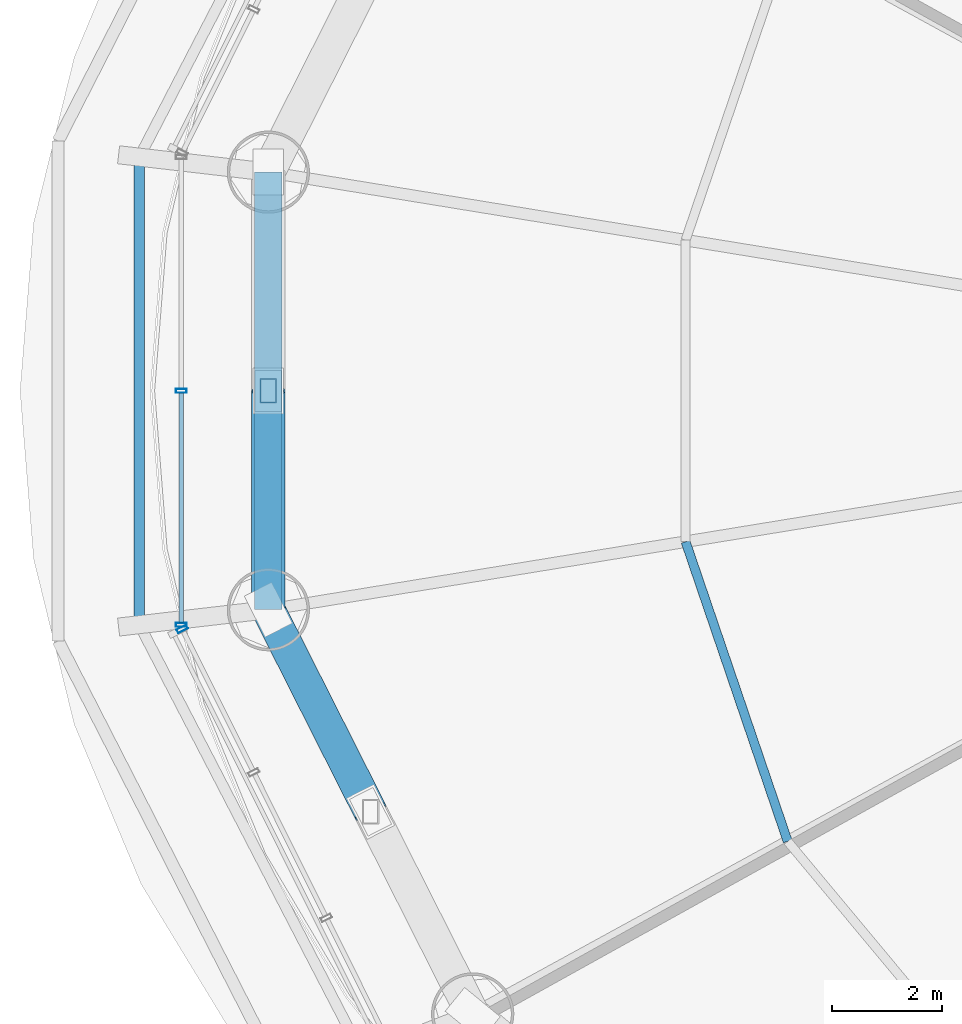
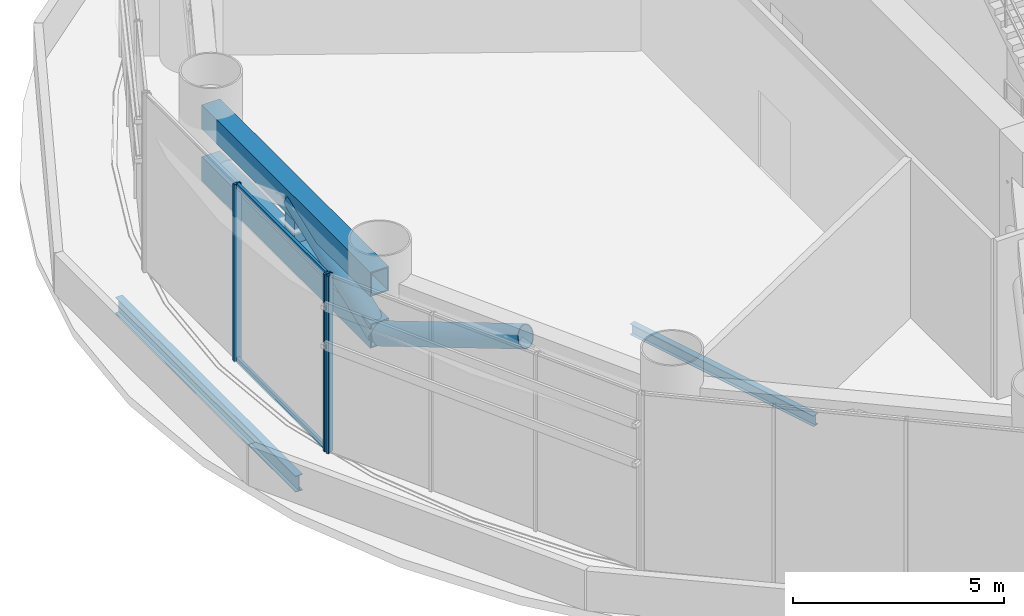
# One storey, part 8 of 33: 10 members, 2 beams, 2 elements without a shape of their own.
"""IFC4 building model written with IfcOpenShell, lengths in metres."""

from ifc_helpers import new_model, si_unit, direction, frame, origin, origin_2d, place, context, subcontext, project, spatial, hollow_rectangle, hollow_circle, i_section, extrude, source, transform, mapped, material, material_profile, profile_set, type_object, element, aggregate, save


model = new_model("IFC4")

# Units and contexts
model_context = context("Model", 3, precision=1e-05, world=origin(), true_north=direction((-0.2419218956, 0.970295726276)))
body_context = subcontext(model_context, "Body", "Model", "MODEL_VIEW")
ifc_project = project(units=[si_unit("LENGTHUNIT", "METRE"), si_unit("AREAUNIT", "SQUARE_METRE"), si_unit("VOLUMEUNIT", "CUBIC_METRE"), si_unit("PLANEANGLEUNIT", "RADIAN"), si_unit("MASSUNIT", "GRAM", prefix="KILO")], contexts=[model_context])

# Site, building, storey
site_placement = place(None, origin())
site = spatial("IfcSite", under=ifc_project, at=site_placement, CompositionType="ELEMENT")
building_placement = place(site_placement, origin())
building = spatial("IfcBuilding", under=site, at=building_placement, Name="Cobrevalo Terracotta Tower", CompositionType="ELEMENT")
storey_placement = place(building_placement, frame((0.0, 0.0, 74.39990234375)))
storey = spatial("IfcBuildingStorey", under=building, at=storey_placement, Name="L19", CompositionType="ELEMENT", Elevation=74.39990234375)

# Beams
ifc_material_1 = material(Name="Steel S355", Category="steel")
ifc_material_profile_1 = material_profile(ifc_material_1, i_section(OverallWidth=0.1650390625, OverallDepth=0.31005859375, WebThickness=0.005859375, FlangeThickness=0.009765625, at=origin_2d()), Name="W 310x38.7")
ifc_profile_set_1 = profile_set([ifc_material_profile_1], Name="Steel S355")
beam_type_1 = type_object("IfcBeamType", Name="Structural Joist W 310x38.7 (Steel S355)", PredefinedType="JOIST", material=ifc_profile_set_1)
beam_1_placement = place(storey_placement, frame((21.13720703125, 24.05078125, -0.60498046875), z_axis=(0.322587842666, -0.94653953101, 0.0), x_axis=(0.94653953101, 0.322587842666, 0.0)))
element("IfcBeam", 1, at=beam_1_placement, inside=storey, type_object=beam_type_1, Name="L19 circumferential secondary floor joist 09", PredefinedType="JOIST", context=body_context, shape_type="SweptSolid", body=[
    extrude(i_section(OverallWidth=0.1650390625, OverallDepth=0.31005859375, WebThickness=0.005859375, FlangeThickness=0.009765625, at=origin_2d()), origin(), (0.0, 0.0, 1.0), 5.7744140625),
])
ifc_material_profile_2 = material_profile(ifc_material_1, i_section(OverallWidth=0.194091796875, OverallDepth=0.468994140625, WebThickness=0.011474609375, FlangeThickness=0.0205078125, at=origin_2d()), Name="W 460x106")
ifc_profile_set_2 = profile_set([ifc_material_profile_2], Name="Steel S355")
beam_type_2 = type_object("IfcBeamType", Name="Structural Spandrel W 460x106 (Steel S355)", PredefinedType="SPANDREL", material=ifc_profile_set_2)
beam_2_placement = place(storey_placement, frame((11.175537109375, 31.062744140625, -0.684326171875), z_axis=(0.0, -1.0, 0.0), x_axis=(1.0, 0.0, 0.0)))
element("IfcBeam", 2, at=beam_2_placement, inside=storey, type_object=beam_type_2, Name="L19 perimeter ring spandrel 08", PredefinedType="SPANDREL", context=body_context, shape_type="SweptSolid", body=[
    extrude(i_section(OverallWidth=0.194091796875, OverallDepth=0.468994140625, WebThickness=0.011474609375, FlangeThickness=0.0205078125, at=origin_2d()), origin(), (0.0, 0.0, 1.0), 8.525390625),
])

# Members
ifc_material_profile_3 = material_profile(ifc_material_1, hollow_rectangle(XDim=0.300048828125, YDim=0.449951171875, WallThickness=0.02001953125, at=origin_2d()), Name="RHS 450x300x20")
ifc_profile_set_3 = profile_set([ifc_material_profile_3], Name="Steel S355")
member_type_1 = type_object("IfcMemberType", Name="Steel Post RHS 450x300x20 (Steel S355)", PredefinedType="POST", material=ifc_profile_set_3)
shared_shape_1 = source(origin(), body_context, "Body", "SweptSolid", [
    extrude(hollow_rectangle(XDim=0.300048828125, YDim=0.449951171875, WallThickness=0.02001953125, at=origin_2d()), origin(), (0.0, 0.0, 1.0), 1.494873046875),
])
member_1_placement = place(storey_placement, frame((13.529296875, 26.800048828125, 2.650146484375), z_axis=(0.0, 0.0, 1.0), x_axis=(1.0, 0.0, 0.0)))
element("IfcMember", 3, at=member_1_placement, inside=storey, type_object=member_type_1, Name="L19 belt truss post 08", PredefinedType="POST", context=body_context, shape_type="MappedRepresentation", body=[
    mapped(shared_shape_1, transform((0.0, 0.0, 0.0), scale=1.0)),
])
ifc_material_profile_4 = material_profile(ifc_material_1, hollow_circle(Radius=0.304931640625, WallThickness=0.02490234375, at=origin_2d()), Name="CHS 610x25")
ifc_profile_set_4 = profile_set([ifc_material_profile_4], Name="Steel S355")
member_type_2 = type_object("IfcMemberType", Name="Steel Brace CHS 610x25 (Steel S355)", PredefinedType="BRACE", material=ifc_profile_set_4)
shared_shape_2 = source(origin(), body_context, "Body", "SweptSolid", [
    extrude(hollow_circle(Radius=0.304931640625, WallThickness=0.02490234375, at=origin_2d()), origin(), (0.0, 0.0, 1.0), 4.39208984375),
])
member_2_placement = place(storey_placement, frame((13.529296875, 22.810302734375, 2.650146484375), z_axis=(0.424132810523, -0.839204854584, 0.340362411381), x_axis=(0.892491666612, 0.451063881317, 0.0)))
element("IfcMember", 4, at=member_2_placement, inside=storey, type_object=member_type_2, Name="L19 belt truss diagonal brace 09-D1", PredefinedType="BRACE", context=body_context, shape_type="MappedRepresentation", body=[
    mapped(shared_shape_2, transform((0.0, 0.0, 0.0), scale=1.0)),
])
ifc_material_profile_5 = material_profile(ifc_material_1, hollow_rectangle(XDim=0.5, YDim=0.699951171875, WallThickness=0.031982421875, at=origin_2d()), Name="RHS 700x500x32")
ifc_profile_set_5 = profile_set([ifc_material_profile_5], Name="Steel S355")
member_type_3 = type_object("IfcMemberType", Name="Steel Chord RHS 700x500x32 (Steel S355)", PredefinedType="CHORD", material=ifc_profile_set_5)
shared_shape_3 = source(origin(), body_context, "Body", "SweptSolid", [
    extrude(hollow_rectangle(XDim=0.5, YDim=0.699951171875, WallThickness=0.031982421875, at=origin_2d()), origin(), (0.0, 0.0, 1.0), 7.979248046875),
])
for number, where, z_axis, x_axis, name in (
    (5, (13.529296875, 30.78955078125, 2.650146484375), (0.0, -1.0, 0.0), (1.0, 0.0, 0.0), "L19 belt truss chord 08-BC"),
    (6, (13.529296875, 30.78955078125, 4.14501953125), (0.0, -1.0, 0.0), (1.0, 0.0, 0.0), "L19 belt truss chord 08-TC"),
):
    element("IfcMember", number, at=place(storey_placement, frame(where, z_axis=z_axis, x_axis=x_axis)), inside=storey, type_object=member_type_3, Name=name, PredefinedType="CHORD", context=body_context, shape_type="MappedRepresentation", body=[
        mapped(shared_shape_3, transform((0.0, 0.0, 0.0), scale=1.0)),
    ])
shared_shape_4 = source(origin(), body_context, "Body", "SweptSolid", [
    extrude(hollow_circle(Radius=0.304931640625, WallThickness=0.02490234375, at=origin_2d()), origin(), (0.0, 0.0, 1.0), 4.260498046875),
])
member_3_placement = place(storey_placement, frame((13.529296875, 22.810302734375, 2.650146484375), z_axis=(0.0, 0.936428045114, 0.350859681816), x_axis=(-1.0, 0.0, 0.0)))
element("IfcMember", 7, at=member_3_placement, inside=storey, type_object=member_type_2, Name="L19 belt truss diagonal brace 08-D2", PredefinedType="BRACE", context=body_context, shape_type="MappedRepresentation", body=[
    mapped(shared_shape_4, transform((0.0, 0.0, 0.0), scale=1.0)),
])

# Curtain wall, members
ifc_material_2 = material(Name="Anodized aluminium", Category="aluminium")
curtain_wall_type = type_object("IfcCurtainWallType", Name="Belt-truss plant acoustic weather-louvre curtain wall CW-LV", PredefinedType="NOTDEFINED", material=ifc_material_2)
curtain_wall_1_placement = place(storey_placement, origin())
curtain_wall_1 = element("IfcCurtainWall", 8, at=curtain_wall_1_placement, inside=storey, type_object=curtain_wall_type, Name="L19 curtain wall CW-LV-L19-S08", PredefinedType="NOTDEFINED")
ifc_material_profile_6 = material_profile(ifc_material_2, hollow_rectangle(XDim=0.074951171875, YDim=0.199951171875, WallThickness=0.0048828125, at=origin_2d()), Name="CWM 75x200")
ifc_profile_set_6 = profile_set([ifc_material_profile_6], Name="Anodized aluminium")
member_type_4 = type_object("IfcMemberType", Name="Lower/mid tower unitised mullion 75x200", PredefinedType="MULLION", material=ifc_profile_set_6)
shared_shape_5 = source(origin(), body_context, "Body", "SweptSolid", [
    extrude(hollow_rectangle(XDim=0.074951171875, YDim=0.199951171875, WallThickness=0.0048828125, at=origin_2d()), origin(), (0.0, 0.0, 1.0), 5.125),
])
member_4_placement = place(storey_placement, frame((11.9404296875, 26.800048828125, 0.0), z_axis=(0.0, 0.0, 1.0), x_axis=(0.0, -1.0, 0.0)))
member_4 = element("IfcMember", 9, at=member_4_placement, type_object=member_type_4, Name="CW-LV-L19-S08 vertical mullion 02", PredefinedType="MULLION", context=body_context, shape_type="MappedRepresentation", body=[
    mapped(shared_shape_5, transform((0.0, 0.0, 0.0), scale=1.0)),
])
member_5_placement = place(storey_placement, frame((11.9404296875, 22.534423828125, 0.0), z_axis=(0.0, 0.0, 1.0), x_axis=(0.0, -1.0, 0.0)))
member_5 = element("IfcMember", 10, at=member_5_placement, type_object=member_type_4, Name="CW-LV-L19-S08 vertical mullion 03", PredefinedType="MULLION", context=body_context, shape_type="MappedRepresentation", body=[
    mapped(shared_shape_5, transform((0.0, 0.0, 0.0), scale=1.0)),
])

# Curtain wall, member
curtain_wall_2_placement = place(storey_placement, origin())
curtain_wall_2 = element("IfcCurtainWall", 11, at=curtain_wall_2_placement, inside=storey, type_object=curtain_wall_type, Name="L19 curtain wall CW-LV-L19-S09", PredefinedType="NOTDEFINED")
member_6_placement = place(storey_placement, frame((11.95849609375, 22.45849609375, 0.0), z_axis=(0.0, 0.0, 1.0), x_axis=(0.446260290227, -0.894903208937, 0.0)))
member_6 = element("IfcMember", 12, at=member_6_placement, type_object=member_type_4, Name="CW-LV-L19-S09 vertical mullion 01", PredefinedType="MULLION", context=body_context, shape_type="MappedRepresentation", body=[
    mapped(shared_shape_5, transform((0.0, 0.0, 0.0), scale=1.0)),
])
aggregate(curtain_wall_2, [member_6])

# Member
ifc_material_profile_7 = material_profile(ifc_material_2, hollow_rectangle(XDim=0.074951171875, YDim=0.14990234375, WallThickness=0.00439453125, at=origin_2d()), Name="CWT 75x150")
ifc_profile_set_7 = profile_set([ifc_material_profile_7], Name="Anodized aluminium")
member_type_5 = type_object("IfcMemberType", Name="Tower unitised aluminium transom 75x150", PredefinedType="USERDEFINED", material=ifc_profile_set_7)
shared_shape_6 = source(origin(), body_context, "Body", "SweptSolid", [
    extrude(hollow_rectangle(XDim=0.074951171875, YDim=0.14990234375, WallThickness=0.00439453125, at=origin_2d()), origin(), (0.0, 0.0, 1.0), 4.185546875),
])
member_7_placement = place(storey_placement, frame((11.9404296875, 26.760009765625, 0.050048828125), z_axis=(0.0, -1.0, 0.0), x_axis=(1.0, 0.0, 0.0)))
member_7 = element("IfcMember", 13, at=member_7_placement, type_object=member_type_5, Name="CW-LV-L19-S08 transom B02-T1", ObjectType="TRANSOM", PredefinedType="USERDEFINED", context=body_context, shape_type="MappedRepresentation", body=[
    mapped(shared_shape_6, transform((0.0, 0.0, 0.0), scale=1.0)),
])

member_8_placement = place(storey_placement, frame((11.9404296875, 26.760009765625, 5.0751953125), z_axis=(0.0, -1.0, 0.0), x_axis=(1.0, 0.0, 0.0)))
member_8 = element("IfcMember", 14, at=member_8_placement, type_object=member_type_5, Name="CW-LV-L19-S08 transom B02-T2", ObjectType="TRANSOM", PredefinedType="USERDEFINED", context=body_context, shape_type="MappedRepresentation", body=[
    mapped(shared_shape_6, transform((0.0, 0.0, 0.0), scale=1.0)),
])

aggregate(curtain_wall_1, [member_4, member_5, member_7, member_8])

save(model, "model.ifc")
